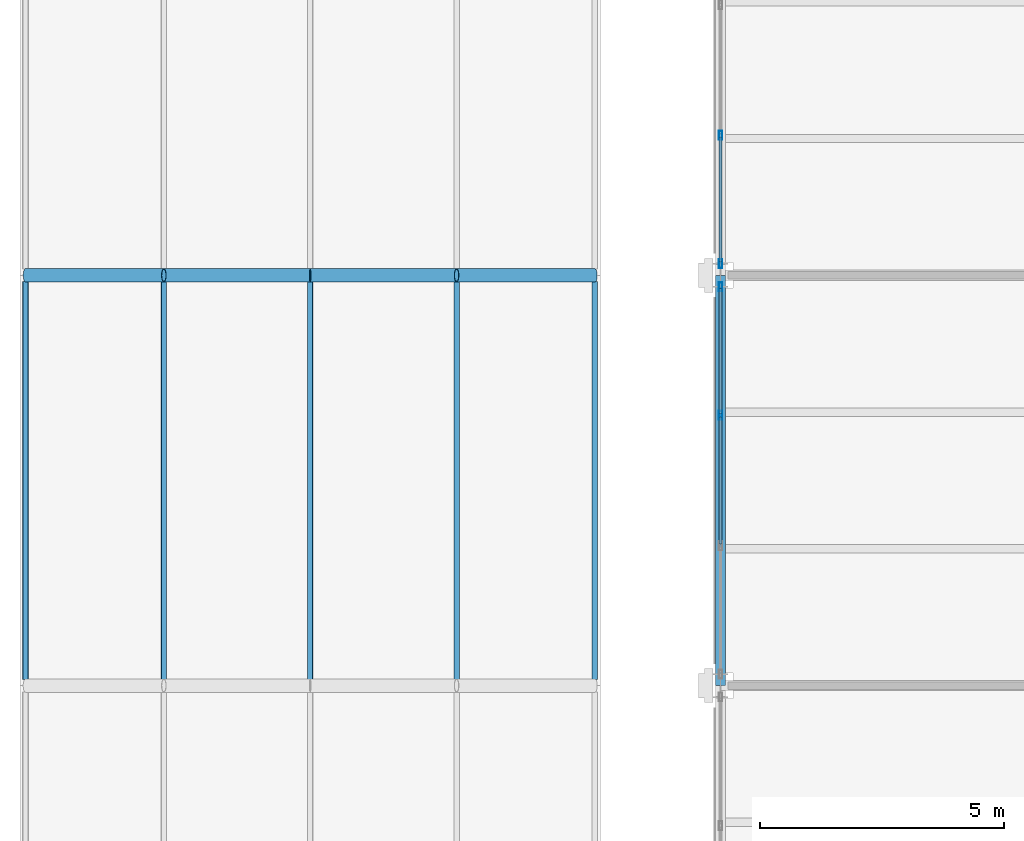
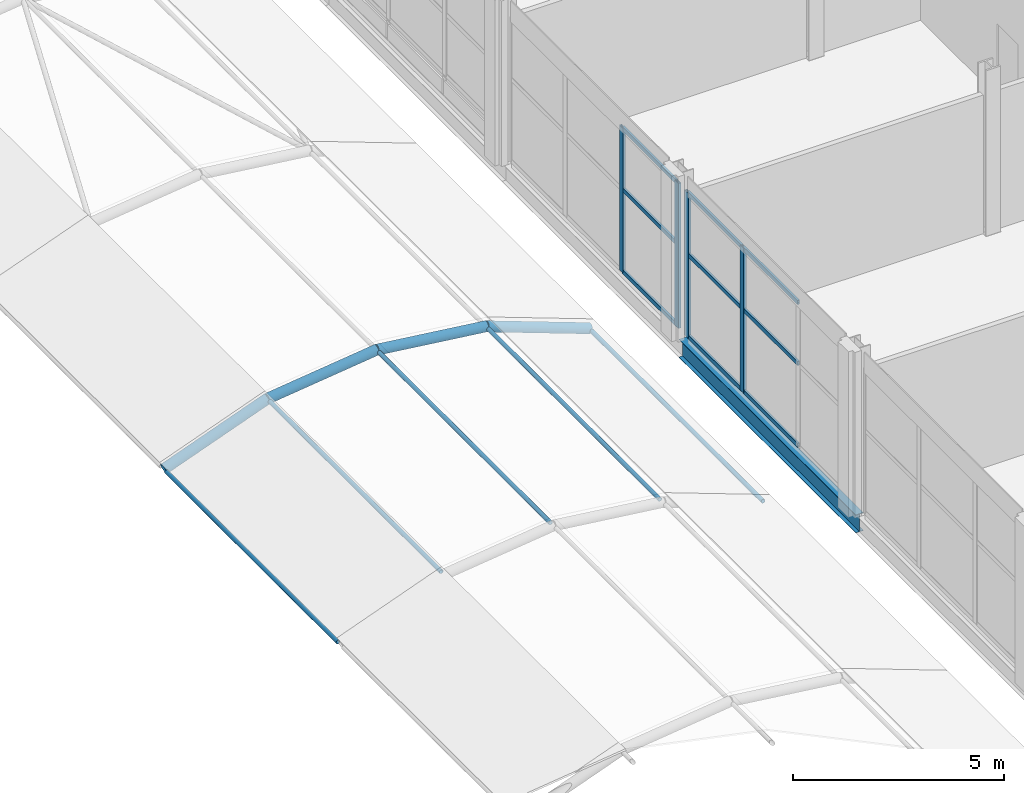
# One storey, part 123 of 167: 22 members, 1 beam, 2 elements without a shape of their own.
"""IFC4 building model written with IfcOpenShell, lengths in metres."""

from ifc_helpers import new_model, si_unit, direction, frame, origin, origin_2d, place, context, subcontext, project, spatial, hollow_rectangle, hollow_circle, i_section, extrude, material, material_profile, profile_set, type_object, element, aggregate, save


model = new_model("IFC4")

# Units and contexts
model_context = context("Model", 3, precision=1e-05, world=origin(), true_north=direction((0.0, 1.0)))
body_context = subcontext(model_context, "Body", "Model", "MODEL_VIEW")
ifc_project = project(units=[si_unit("LENGTHUNIT", "METRE"), si_unit("AREAUNIT", "SQUARE_METRE"), si_unit("VOLUMEUNIT", "CUBIC_METRE"), si_unit("PLANEANGLEUNIT", "RADIAN"), si_unit("MASSUNIT", "GRAM", prefix="KILO")], contexts=[model_context])

# Site, building, storey
site_placement = place(None, origin())
site = spatial("IfcSite", under=ifc_project, at=site_placement, CompositionType="ELEMENT")
building_placement = place(site_placement, origin())
building = spatial("IfcBuilding", under=site, at=building_placement, Name="Catenary Quay Ferry Terminal", CompositionType="ELEMENT")
storey_placement = place(building_placement, frame((0.0, 0.0, 6.0)))
storey = spatial("IfcBuildingStorey", under=building, at=storey_placement, Name="L01", CompositionType="ELEMENT", Elevation=6.0)

# Beam
ifc_material_1 = material(Name="Steel S355", Category="steel")
ifc_material_profile_1 = material_profile(ifc_material_1, i_section(OverallWidth=0.208740234375, OverallDepth=0.5283203125, WebThickness=0.009521484375, FlangeThickness=0.01318359375, at=origin_2d()), Name="UB 533x210x82")
ifc_profile_set_1 = profile_set([ifc_material_profile_1], Name="Steel S355")
beam_type = type_object("IfcBeamType", Name="B5 UB 533x210x82", PredefinedType="BEAM", material=ifc_profile_set_1)
beam_placement = place(storey_placement, frame((25.199951171875, 176.39990234375, -0.464111328125), z_axis=(0.0, 1.0, 0.0), x_axis=(-1.0, 0.0, 0.0)))
element("IfcBeam", 1, at=beam_placement, inside=storey, type_object=beam_type, Name="Beam B5-024", PredefinedType="BEAM", context=body_context, shape_type="SweptSolid", body=[
    extrude(i_section(OverallWidth=0.208740234375, OverallDepth=0.5283203125, WebThickness=0.009521484375, FlangeThickness=0.01318359375, at=origin_2d()), origin(), (0.0, 0.0, 1.0), 8.400146484375),
])

# Curtain wall, members
ifc_material_2 = material(Name="Aluminium and glass", Category="aluminium")
curtain_wall_type = type_object("IfcCurtainWallType", Name="CWW2", PredefinedType="NOTDEFINED", material=ifc_material_2)
curtain_wall_1_placement = place(storey_placement, origin())
curtain_wall_1 = element("IfcCurtainWall", 2, at=curtain_wall_1_placement, inside=storey, type_object=curtain_wall_type, Name="Wing curtain wall CW125", PredefinedType="NOTDEFINED")
ifc_material_3 = material(Name="Aluminium", Category="aluminium")
ifc_material_profile_2 = material_profile(ifc_material_3, hollow_rectangle(XDim=0.070068359375, YDim=0.179931640625, WallThickness=0.006103515625, at=origin_2d()), Name="MU3")
ifc_profile_set_2 = profile_set([ifc_material_profile_2], Name="Aluminium")
member_type_1 = type_object("IfcMemberType", Name="MU3", PredefinedType="MULLION", material=ifc_profile_set_2)
member_1_placement = place(storey_placement, frame((25.199951171875, 181.933349609375, 0.0), z_axis=(0.0, 0.0, 1.0), x_axis=(-1.0, 0.0, 0.0)))
member_1 = element("IfcMember", 3, at=member_1_placement, type_object=member_type_1, Name="CW125 mullion 3", PredefinedType="MULLION", context=body_context, shape_type="SweptSolid", body=[
    extrude(hollow_rectangle(XDim=0.070068359375, YDim=0.179931640625, WallThickness=0.006103515625, at=origin_2d()), origin(), (0.0, 0.0, 1.0), 4.199951171875),
])
member_2_placement = place(storey_placement, frame((25.199951171875, 184.56494140625, 0.0), z_axis=(0.0, 0.0, 1.0), x_axis=(-1.0, 0.0, 0.0)))
member_2 = element("IfcMember", 4, at=member_2_placement, type_object=member_type_1, Name="CW125 mullion 4", PredefinedType="MULLION", context=body_context, shape_type="SweptSolid", body=[
    extrude(hollow_rectangle(XDim=0.070068359375, YDim=0.179931640625, WallThickness=0.006103515625, at=origin_2d()), origin(), (0.0, 0.0, 1.0), 4.199951171875),
])

curtain_wall_2_placement = place(storey_placement, origin())
curtain_wall_2 = element("IfcCurtainWall", 5, at=curtain_wall_2_placement, inside=storey, type_object=curtain_wall_type, Name="Wing curtain wall CW126", PredefinedType="NOTDEFINED")
member_3_placement = place(storey_placement, frame((25.199951171875, 185.034912109375, 0.0), z_axis=(0.0, 0.0, 1.0), x_axis=(-1.0, 0.0, 0.0)))
member_3 = element("IfcMember", 6, at=member_3_placement, type_object=member_type_1, Name="CW126 mullion 1", PredefinedType="MULLION", context=body_context, shape_type="SweptSolid", body=[
    extrude(hollow_rectangle(XDim=0.070068359375, YDim=0.179931640625, WallThickness=0.006103515625, at=origin_2d()), origin(), (0.0, 0.0, 1.0), 4.199951171875),
])
member_4_placement = place(storey_placement, frame((25.199951171875, 187.666748046875, 0.0), z_axis=(0.0, 0.0, 1.0), x_axis=(-1.0, 0.0, 0.0)))
member_4 = element("IfcMember", 7, at=member_4_placement, type_object=member_type_1, Name="CW126 mullion 2", PredefinedType="MULLION", context=body_context, shape_type="SweptSolid", body=[
    extrude(hollow_rectangle(XDim=0.070068359375, YDim=0.179931640625, WallThickness=0.006103515625, at=origin_2d()), origin(), (0.0, 0.0, 1.0), 4.199951171875),
])

# Members
ifc_material_4 = material(Name="Steel S355", Category="steel")
ifc_material_profile_3 = material_profile(ifc_material_4, hollow_circle(Radius=0.05712890625, WallThickness=0.00634765625, at=origin_2d()), Name="CHS 114.3x6.3")
ifc_profile_set_3 = profile_set([ifc_material_profile_3], Name="Steel S355")
member_type_2 = type_object("IfcMemberType", Name="PU2 CHS 114.3x6.3", PredefinedType="PURLIN", material=ifc_profile_set_3)
for number, where, z_axis, x_axis, name in (
    (8, (10.970947265625, 176.530029296875, 0.98388671875), (0.0, 1.0, 0.0), (-1.0, 0.0, 0.0), "Purlin PU-FC-14-01"),
    (9, (13.802978515625, 176.530029296875, 2.031005859375), (0.0, 1.0, 0.0), (-1.0, 0.0, 0.0), "Purlin PU-FC-14-02"),
    (10, (16.800048828125, 176.530029296875, 2.39990234375), (0.0, 1.0, 0.0), (-1.0, 0.0, 0.0), "Purlin PU-FC-14-03"),
    (11, (19.797119140625, 176.530029296875, 2.031005859375), (0.0, 1.0, 0.0), (-1.0, 0.0, 0.0), "Purlin PU-FC-14-04"),
    (12, (22.62890625, 176.530029296875, 0.98388671875), (0.0, 1.0, 0.0), (-1.0, 0.0, 0.0), "Purlin PU-FC-14-05"),
):
    element("IfcMember", number, at=place(storey_placement, frame(where, z_axis=z_axis, x_axis=x_axis)), inside=storey, type_object=member_type_2, Name=name, PredefinedType="PURLIN", context=body_context, shape_type="SweptSolid", body=[
        extrude(hollow_circle(Radius=0.05712890625, WallThickness=0.00634765625, at=origin_2d()), origin(), (0.0, 0.0, 1.0), 8.139892578125),
    ])

# Member
ifc_material_5 = material(Name="Aluminium", Category="aluminium")
ifc_material_profile_4 = material_profile(ifc_material_5, hollow_rectangle(XDim=0.06005859375, YDim=0.1201171875, WallThickness=0.0048828125, at=origin_2d()), Name="TR3")
ifc_profile_set_4 = profile_set([ifc_material_profile_4], Name="Aluminium")
member_type_3 = type_object("IfcMemberType", Name="TR3", PredefinedType="USERDEFINED", material=ifc_profile_set_4)
member_5_placement = place(storey_placement, frame((25.199951171875, 179.3017578125, 0.030029296875), z_axis=(0.0, 1.0, 0.0), x_axis=(-1.0, 0.0, 0.0)))
member_5 = element("IfcMember", 13, at=member_5_placement, type_object=member_type_3, Name="CW125 transom 2.1", ObjectType="TRANSOM", PredefinedType="USERDEFINED", context=body_context, shape_type="SweptSolid", body=[
    extrude(hollow_rectangle(XDim=0.06005859375, YDim=0.1201171875, WallThickness=0.0048828125, at=origin_2d()), origin(), (0.0, 0.0, 1.0), 2.5966796875),
])

member_6_placement = place(storey_placement, frame((25.199951171875, 179.3017578125, 2.39990234375), z_axis=(0.0, 1.0, 0.0), x_axis=(-1.0, 0.0, 0.0)))
member_6 = element("IfcMember", 14, at=member_6_placement, type_object=member_type_3, Name="CW125 transom 2.2", ObjectType="TRANSOM", PredefinedType="USERDEFINED", context=body_context, shape_type="SweptSolid", body=[
    extrude(hollow_rectangle(XDim=0.06005859375, YDim=0.1201171875, WallThickness=0.0048828125, at=origin_2d()), origin(), (0.0, 0.0, 1.0), 2.5966796875),
])

member_7_placement = place(storey_placement, frame((25.199951171875, 179.3017578125, 4.169921875), z_axis=(0.0, 1.0, 0.0), x_axis=(-1.0, 0.0, 0.0)))
member_7 = element("IfcMember", 15, at=member_7_placement, type_object=member_type_3, Name="CW125 transom 2.3", ObjectType="TRANSOM", PredefinedType="USERDEFINED", context=body_context, shape_type="SweptSolid", body=[
    extrude(hollow_rectangle(XDim=0.06005859375, YDim=0.1201171875, WallThickness=0.0048828125, at=origin_2d()), origin(), (0.0, 0.0, 1.0), 2.5966796875),
])

member_8_placement = place(storey_placement, frame((25.199951171875, 181.96826171875, 0.030029296875), z_axis=(0.0, 1.0, 0.0), x_axis=(-1.0, 0.0, 0.0)))
member_8 = element("IfcMember", 16, at=member_8_placement, type_object=member_type_3, Name="CW125 transom 3.1", ObjectType="TRANSOM", PredefinedType="USERDEFINED", context=body_context, shape_type="SweptSolid", body=[
    extrude(hollow_rectangle(XDim=0.06005859375, YDim=0.1201171875, WallThickness=0.0048828125, at=origin_2d()), origin(), (0.0, 0.0, 1.0), 2.561767578125),
])

member_9_placement = place(storey_placement, frame((25.199951171875, 181.96826171875, 2.39990234375), z_axis=(0.0, 1.0, 0.0), x_axis=(-1.0, 0.0, 0.0)))
member_9 = element("IfcMember", 17, at=member_9_placement, type_object=member_type_3, Name="CW125 transom 3.2", ObjectType="TRANSOM", PredefinedType="USERDEFINED", context=body_context, shape_type="SweptSolid", body=[
    extrude(hollow_rectangle(XDim=0.06005859375, YDim=0.1201171875, WallThickness=0.0048828125, at=origin_2d()), origin(), (0.0, 0.0, 1.0), 2.561767578125),
])

member_10_placement = place(storey_placement, frame((25.199951171875, 181.96826171875, 4.169921875), z_axis=(0.0, 1.0, 0.0), x_axis=(-1.0, 0.0, 0.0)))
member_10 = element("IfcMember", 18, at=member_10_placement, type_object=member_type_3, Name="CW125 transom 3.3", ObjectType="TRANSOM", PredefinedType="USERDEFINED", context=body_context, shape_type="SweptSolid", body=[
    extrude(hollow_rectangle(XDim=0.06005859375, YDim=0.1201171875, WallThickness=0.0048828125, at=origin_2d()), origin(), (0.0, 0.0, 1.0), 2.561767578125),
])

aggregate(curtain_wall_1, [member_1, member_2, member_5, member_6, member_7, member_8, member_9, member_10])

member_11_placement = place(storey_placement, frame((25.199951171875, 185.070068359375, 0.030029296875), z_axis=(0.0, 1.0, 0.0), x_axis=(-1.0, 0.0, 0.0)))
member_11 = element("IfcMember", 19, at=member_11_placement, type_object=member_type_3, Name="CW126 transom 1.1", ObjectType="TRANSOM", PredefinedType="USERDEFINED", context=body_context, shape_type="SweptSolid", body=[
    extrude(hollow_rectangle(XDim=0.06005859375, YDim=0.1201171875, WallThickness=0.0048828125, at=origin_2d()), origin(), (0.0, 0.0, 1.0), 2.5615234375),
])

member_12_placement = place(storey_placement, frame((25.199951171875, 185.070068359375, 2.39990234375), z_axis=(0.0, 1.0, 0.0), x_axis=(-1.0, 0.0, 0.0)))
member_12 = element("IfcMember", 20, at=member_12_placement, type_object=member_type_3, Name="CW126 transom 1.2", ObjectType="TRANSOM", PredefinedType="USERDEFINED", context=body_context, shape_type="SweptSolid", body=[
    extrude(hollow_rectangle(XDim=0.06005859375, YDim=0.1201171875, WallThickness=0.0048828125, at=origin_2d()), origin(), (0.0, 0.0, 1.0), 2.5615234375),
])

member_13_placement = place(storey_placement, frame((25.199951171875, 185.070068359375, 4.169921875), z_axis=(0.0, 1.0, 0.0), x_axis=(-1.0, 0.0, 0.0)))
member_13 = element("IfcMember", 21, at=member_13_placement, type_object=member_type_3, Name="CW126 transom 1.3", ObjectType="TRANSOM", PredefinedType="USERDEFINED", context=body_context, shape_type="SweptSolid", body=[
    extrude(hollow_rectangle(XDim=0.06005859375, YDim=0.1201171875, WallThickness=0.0048828125, at=origin_2d()), origin(), (0.0, 0.0, 1.0), 2.5615234375),
])

aggregate(curtain_wall_2, [member_3, member_4, member_11, member_12, member_13])

# Members
ifc_material_6 = material(Name="Steel S355", Category="steel")
ifc_material_profile_5 = material_profile(ifc_material_6, hollow_circle(Radius=0.136474609375, WallThickness=0.012451171875, at=origin_2d()), Name="CHS 273x12.5")
ifc_profile_set_5 = profile_set([ifc_material_profile_5], Name="Steel S355")
member_type_4 = type_object("IfcMemberType", Name="VR2 CHS 273x12.5", PredefinedType="RAFTER", material=ifc_profile_set_5)
member_14_placement = place(storey_placement, frame((10.970947265625, 184.800048828125, 0.98388671875), z_axis=(0.937940762231, 0.0, 0.346795511139), x_axis=(0.0, 1.0, 0.0)))
element("IfcMember", 22, at=member_14_placement, inside=storey, type_object=member_type_4, Name="rib FC-15-02", PredefinedType="RAFTER", context=body_context, shape_type="SweptSolid", body=[
    extrude(hollow_circle(Radius=0.136474609375, WallThickness=0.012451171875, at=origin_2d()), origin(), (0.0, 0.0, 1.0), 3.01953125),
])
for number, where, z_axis, x_axis, name in (
    (23, (13.802978515625, 184.800048828125, 2.031005859375), (0.992509955251, 0.0, 0.122163778298), (0.0, 1.0, 0.0), "rib FC-15-03"),
    (24, (16.800048828125, 184.800048828125, 2.39990234375), (0.992509955251, 0.0, -0.122163778298), (0.0, 1.0, 0.0), "rib FC-15-04"),
):
    element("IfcMember", number, at=place(storey_placement, frame(where, z_axis=z_axis, x_axis=x_axis)), inside=storey, type_object=member_type_4, Name=name, PredefinedType="RAFTER", context=body_context, shape_type="SweptSolid", body=[
        extrude(hollow_circle(Radius=0.136474609375, WallThickness=0.012451171875, at=origin_2d()), origin(), (0.0, 0.0, 1.0), 3.019775390625),
    ])
member_15_placement = place(storey_placement, frame((19.797119140625, 184.800048828125, 2.031005859375), z_axis=(0.93793103669, 0.0, -0.346821813636), x_axis=(0.0, 1.0, 0.0)))
element("IfcMember", 25, at=member_15_placement, inside=storey, type_object=member_type_4, Name="rib FC-15-05", PredefinedType="RAFTER", context=body_context, shape_type="SweptSolid", body=[
    extrude(hollow_circle(Radius=0.136474609375, WallThickness=0.012451171875, at=origin_2d()), origin(), (0.0, 0.0, 1.0), 3.019287109375),
])

save(model, "model.ifc")
